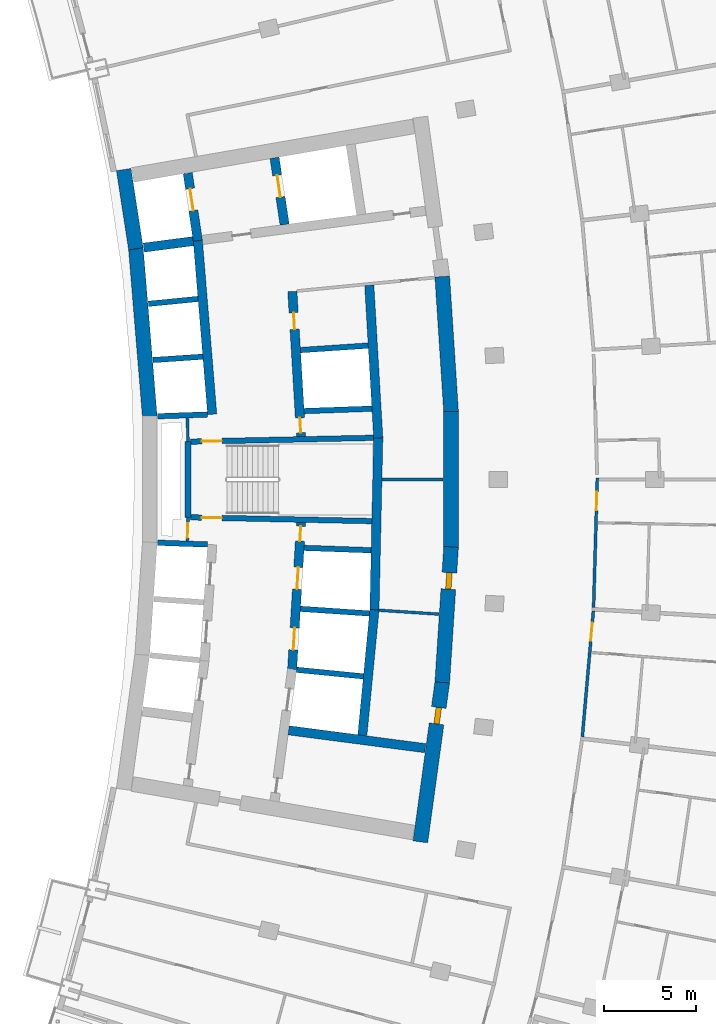
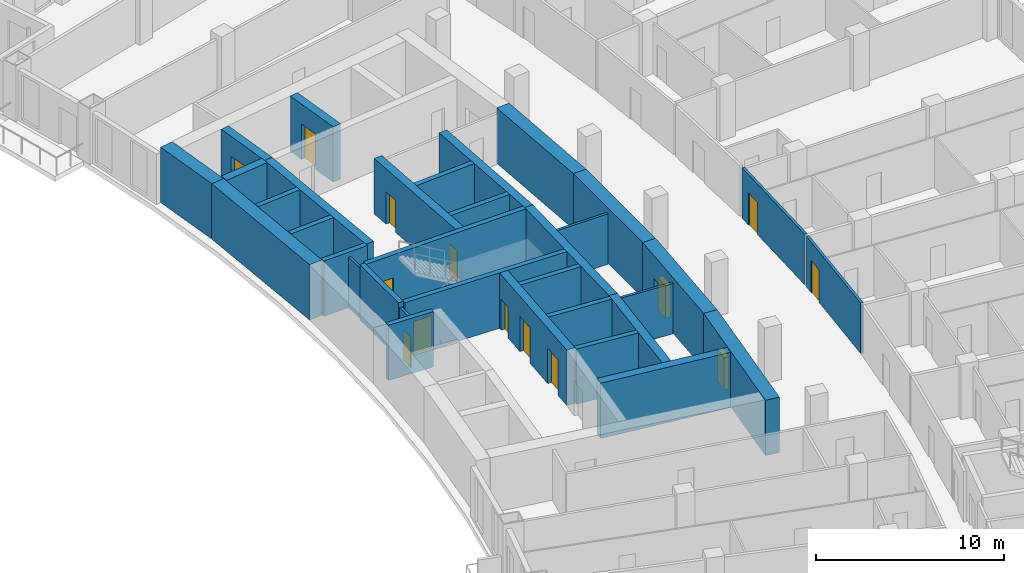
# One storey, part 16 of 24: 34 walls, 14 doors, 14 openings.
"""IFC4 building model written with IfcOpenShell, lengths in metres."""

from ifc_helpers import new_model, si_unit, direction, frame, frame_2d, origin, place, context, subcontext, project, spatial, rectangle, extrude, material, layer, layer_set, type_object, element, fill, save


model = new_model("IFC4")

# Units and contexts
model_context = context("Model", 3, precision=1e-05, world=origin(), true_north=direction((0.0, 1.0)))
body_context = subcontext(model_context, "Body", "Model", "MODEL_VIEW")
ifc_project = project(units=[si_unit("LENGTHUNIT", "METRE"), si_unit("AREAUNIT", "SQUARE_METRE"), si_unit("VOLUMEUNIT", "CUBIC_METRE"), si_unit("PLANEANGLEUNIT", "RADIAN"), si_unit("MASSUNIT", "GRAM", prefix="KILO")], contexts=[model_context])

# Site, building, storey
site_placement = place(None, origin())
site = spatial("IfcSite", under=ifc_project, at=site_placement, CompositionType="ELEMENT")
building_placement = place(site_placement, origin())
building = spatial("IfcBuilding", under=site, at=building_placement, Name="Alderwake Tower", CompositionType="ELEMENT")
storey_placement = place(building_placement, frame((0.0, 0.0, 96.800048828125)))
storey = spatial("IfcBuildingStorey", under=building, at=storey_placement, Name="L23", CompositionType="ELEMENT", Elevation=96.800048828125)

# Wall, opening, door
ifc_material_1 = material(Name="Gypsum shaft wall system, rated")
ifc_layer_1 = layer(ifc_material_1, 0.14990234375)
ifc_layer_set_1 = layer_set([ifc_layer_1], Name="Core room partition 150")
wall_type_1 = type_object("IfcWallType", Name="Core room partition 150", PredefinedType="PARTITIONING", material=ifc_layer_set_1)
wall_1_placement = place(storey_placement, frame((18.918701171875, 58.94384765625, 0.0), z_axis=(0.0, 0.0, 1.0), x_axis=(-0.027348257573, -0.999625966453, 0.0)))
wall_1 = element("IfcWall", 1, at=wall_1_placement, inside=storey, type_object=wall_type_1, Name="CW/L23/PA+24_-37", PredefinedType="PARTITIONING", context=body_context, shape_type="SweptSolid", body=[
    extrude(rectangle(XDim=1.29443359375, YDim=0.14990234375, at=frame_2d((0.647216796875, 0.0))), origin(), (0.0, 0.0, 1.0), 3.280029296875),
])
opening_1_placement = place(wall_1_placement, frame((0.322998046875, 0.0, 0.0)))
opening_1 = element("IfcOpeningElement", 2, at=opening_1_placement, cuts=wall_1, Name="Opening C004", PredefinedType="OPENING", context=body_context, shape_type="SweptSolid", body=[
    extrude(rectangle(XDim=0.800048828125, YDim=2.0, at=frame_2d((0.39990234375, 1.0))), frame((0.0, 0.0849609375, 0.0), z_axis=(0.0, -1.0, 0.0), x_axis=(1.0, 0.0, 0.0)), (0.0, 0.0, 1.0), 0.169921875),
])
ifc_material_2 = material(Name="Painted steel leaf, rated", Category="steel")
door_type_1 = type_object("IfcDoorType", Name="Riser access door 800", OperationType="SINGLE_SWING_LEFT", PredefinedType="DOOR", material=ifc_material_2)
door_1_placement = place(opening_1_placement, origin())
door_1 = element("IfcDoor", 3, at=door_1_placement, inside=storey, type_object=door_type_1, Name="Riser access door", OperationType="SINGLE_SWING_RIGHT", OverallHeight=2.0, OverallWidth=0.800048828125, PredefinedType="DOOR", context=body_context, shape_type="SweptSolid", body=[
    extrude(rectangle(XDim=0.800048828125, YDim=2.0, at=frame_2d((0.39990234375, 1.0))), frame((0.0, 0.02490234375, 0.0), z_axis=(0.0, -1.0, 0.0), x_axis=(1.0, 0.0, 0.0)), (0.0, 0.0, 1.0), 0.050048828125),
])
fill(opening_1, door_1)

# Walls
wall_2_placement = place(storey_placement, frame((18.918701171875, 63.05517578125, 0.0), z_axis=(0.0, 0.0, 1.0), x_axis=(-0.027327648352, 0.999626530078, 0.0)))
element("IfcWall", 4, at=wall_2_placement, inside=storey, type_object=wall_type_1, Name="CW/L23/PA+24_+22", PredefinedType="PARTITIONING", context=body_context, shape_type="SweptSolid", body=[
    extrude(rectangle(XDim=1.29541015625, YDim=0.14990234375, at=frame_2d((0.647705078125, 0.0))), origin(), (0.0, 0.0, 1.0), 3.280029296875),
])
wall_3_placement = place(storey_placement, frame((29.318603515625, 53.88134765625, 0.0), z_axis=(0.0, 0.0, 1.0), x_axis=(0.997885072108, -0.065002945035, 0.0)))
element("IfcWall", 5, at=wall_3_placement, inside=storey, type_object=wall_type_1, Name="CW/L23/PR-68_+128", PredefinedType="PARTITIONING", context=body_context, shape_type="SweptSolid", body=[
    extrude(rectangle(XDim=3.260009765625, YDim=0.14990234375, at=frame_2d((1.6298828125, 0.0))), origin(), (0.0, 0.0, 1.0), 3.280029296875),
])
wall_4_placement = place(storey_placement, frame((29.47607421875, 61.0, 0.0), z_axis=(0.0, 0.0, 1.0), x_axis=(1.0, 0.0, 0.0)))
element("IfcWall", 6, at=wall_4_placement, inside=storey, type_object=wall_type_1, Name="CW/L23/PR+0_+128", PredefinedType="PARTITIONING", context=body_context, shape_type="SweptSolid", body=[
    extrude(rectangle(XDim=3.333984375, YDim=0.14990234375, at=frame_2d((1.6669921875, 0.0))), origin(), (0.0, 0.0, 1.0), 3.280029296875),
])
ifc_material_3 = material(Name="Concrete C70/85", Category="concrete")
ifc_layer_2 = layer(ifc_material_3, 0.800048828125)
ifc_layer_set_2 = layer_set([ifc_layer_2], Name="Core wall outer 800 C70-85")
wall_type_2 = type_object("IfcWallType", Name="Core wall outer 800 C70-85", PredefinedType="SHEAR", material=ifc_layer_set_2)
wall_5_placement = place(storey_placement, frame((16.8408203125, 64.410888671875, 0.0), z_axis=(0.0, 0.0, 1.0), x_axis=(-0.082619502339, 0.996581164699, 0.0)))
element("IfcWall", 7, at=wall_5_placement, inside=storey, type_object=wall_type_2, Name="Core wall CW.040", PredefinedType="SHEAR", context=body_context, shape_type="SweptSolid", body=[
    extrude(rectangle(XDim=9.201904296875, YDim=0.800048828125, at=frame_2d((4.60107421875, 0.0))), origin(), (0.0, 0.0, 1.0), 3.599853515625),
])
wall_6_placement = place(storey_placement, frame((16.083984375, 73.552490234375, 0.0), z_axis=(0.0, 0.0, 1.0), x_axis=(-0.151981606421, 0.988383322052, 0.0)))
element("IfcWall", 8, at=wall_6_placement, inside=storey, type_object=wall_type_2, Name="Core wall CW.039", PredefinedType="SHEAR", context=body_context, shape_type="SweptSolid", body=[
    extrude(rectangle(XDim=4.369384765625, YDim=0.800048828125, at=frame_2d((2.1845703125, 0.0))), origin(), (0.0, 0.0, 1.0), 3.599853515625),
])

# Wall, opening, door
wall_7_placement = place(storey_placement, frame((32.763427734375, 49.980712890625, 0.0), z_axis=(0.0, 0.0, 1.0), x_axis=(-0.135838347444, -0.990731014637, 0.0)))
wall_7 = element("IfcWall", 9, at=wall_7_placement, inside=storey, type_object=wall_type_2, Name="Core wall CW.012", PredefinedType="SHEAR", context=body_context, shape_type="SweptSolid", body=[
    extrude(rectangle(XDim=8.788818359375, YDim=0.800048828125, at=frame_2d((4.39453125, 0.0))), origin(), (0.0, 0.0, 1.0), 3.599853515625),
])
opening_2_placement = place(wall_7_placement, frame((1.40576171875, 0.0, 0.0)))
opening_2 = element("IfcOpeningElement", 10, at=opening_2_placement, cuts=wall_7, Name="Opening C049", PredefinedType="OPENING", context=body_context, shape_type="SweptSolid", body=[
    extrude(rectangle(XDim=0.89990234375, YDim=2.10009765625, at=frame_2d((0.449951171875, 1.050048828125))), frame((0.0, 0.409912109375, 0.0), z_axis=(0.0, -1.0, 0.0), x_axis=(1.0, 0.0, 0.0)), (0.0, 0.0, 1.0), 0.820068359375),
])
ifc_material_4 = material(Name="Painted steel leaf", Category="steel")
door_type_2 = type_object("IfcDoorType", Name="Core room door 900", OperationType="SINGLE_SWING_LEFT", PredefinedType="DOOR", material=ifc_material_4)
door_2_placement = place(opening_2_placement, origin())
door_2 = element("IfcDoor", 11, at=door_2_placement, inside=storey, type_object=door_type_2, Name="Room door", OperationType="SINGLE_SWING_LEFT", OverallHeight=2.10009765625, OverallWidth=0.89990234375, PredefinedType="DOOR", context=body_context, shape_type="SweptSolid", body=[
    extrude(rectangle(XDim=0.89990234375, YDim=2.10009765625, at=frame_2d((0.449951171875, 1.050048828125))), frame((0.0, 0.14990234375, 0.0), z_axis=(0.0, -1.0, 0.0), x_axis=(1.0, 0.0, 0.0)), (0.0, 0.0, 1.0), 0.300048828125),
])
fill(opening_2, door_2)

wall_8_placement = place(storey_placement, frame((33.240966796875, 57.330322265625, 0.0), z_axis=(0.0, 0.0, 1.0), x_axis=(-0.064976219143, -0.997886812693, 0.0)))
wall_8 = element("IfcWall", 12, at=wall_8_placement, inside=storey, type_object=wall_type_2, Name="Core wall CW.011", PredefinedType="SHEAR", context=body_context, shape_type="SweptSolid", body=[
    extrude(rectangle(XDim=7.39453125, YDim=0.800048828125, at=frame_2d((3.697265625, 0.0))), origin(), (0.0, 0.0, 1.0), 3.599853515625),
])
opening_3_placement = place(wall_8_placement, frame((1.40478515625, 0.0, 0.0)))
opening_3 = element("IfcOpeningElement", 13, at=opening_3_placement, cuts=wall_8, Name="Opening C028", PredefinedType="OPENING", context=body_context, shape_type="SweptSolid", body=[
    extrude(rectangle(XDim=0.89990234375, YDim=2.10009765625, at=frame_2d((0.449951171875, 1.050048828125))), frame((0.0, 0.409912109375, 0.0), z_axis=(0.0, -1.0, 0.0), x_axis=(1.0, 0.0, 0.0)), (0.0, 0.0, 1.0), 0.820068359375),
])
door_3_placement = place(opening_3_placement, origin())
door_3 = element("IfcDoor", 14, at=door_3_placement, inside=storey, type_object=door_type_2, Name="Room door", OperationType="SINGLE_SWING_LEFT", OverallHeight=2.10009765625, OverallWidth=0.89990234375, PredefinedType="DOOR", context=body_context, shape_type="SweptSolid", body=[
    extrude(rectangle(XDim=0.89990234375, YDim=2.10009765625, at=frame_2d((0.449951171875, 1.050048828125))), frame((0.0, 0.14990234375, 0.0), z_axis=(0.0, -1.0, 0.0), x_axis=(1.0, 0.0, 0.0)), (0.0, 0.0, 1.0), 0.300048828125),
])
fill(opening_3, door_3)

# Walls
wall_9_placement = place(storey_placement, frame((33.239990234375, 57.30322265625, 0.0), z_axis=(0.0, 0.0, 1.0), x_axis=(0.0, 1.0, 0.0)))
element("IfcWall", 15, at=wall_9_placement, inside=storey, type_object=wall_type_2, Name="Core wall CW.013", PredefinedType="SHEAR", context=body_context, shape_type="SweptSolid", body=[
    extrude(rectangle(XDim=7.3935546875, YDim=0.800048828125, at=frame_2d((3.69677734375, 0.0))), origin(), (0.0, 0.0, 1.0), 3.599853515625),
])
wall_10_placement = place(storey_placement, frame((33.240966796875, 64.669677734375, 0.0), z_axis=(0.0, 0.0, 1.0), x_axis=(-0.064976219143, 0.997886812693, 0.0)))
element("IfcWall", 16, at=wall_10_placement, inside=storey, type_object=wall_type_2, Name="Core wall CW.010", PredefinedType="SHEAR", context=body_context, shape_type="SweptSolid", body=[
    extrude(rectangle(XDim=7.39453125, YDim=0.800048828125, at=frame_2d((3.697265625, 0.0))), origin(), (0.0, 0.0, 1.0), 3.599853515625),
])
ifc_material_5 = material(Name="Concrete C70/85", Category="concrete")
ifc_layer_3 = layer(ifc_material_5, 0.300048828125)
ifc_layer_set_3 = layer_set([ifc_layer_3], Name="Core wall shaft 300 C70-85")
wall_type_3 = type_object("IfcWallType", Name="Core wall shaft 300 C70-85", PredefinedType="SHEAR", material=ifc_layer_set_3)
wall_11_placement = place(storey_placement, frame((24.839599609375, 50.64013671875, 0.0), z_axis=(0.0, 0.0, 1.0), x_axis=(0.995151214483, -0.098356801055, 0.0)))
element("IfcWall", 17, at=wall_11_placement, inside=storey, type_object=wall_type_3, Name="Core wall CW.066", PredefinedType="SHEAR", context=body_context, shape_type="SweptSolid", body=[
    extrude(rectangle(XDim=3.646240234375, YDim=0.300048828125, at=frame_2d((1.8232421875, 0.0))), origin(), (0.0, 0.0, 1.0), 3.599853515625),
])
wall_12_placement = place(storey_placement, frame((25.0400390625, 53.9580078125, 0.0), z_axis=(0.0, 0.0, 1.0), x_axis=(0.997761584708, -0.06687166875, 0.0)))
element("IfcWall", 18, at=wall_12_placement, inside=storey, type_object=wall_type_3, Name="Core wall CW.080", PredefinedType="SHEAR", context=body_context, shape_type="SweptSolid", body=[
    extrude(rectangle(XDim=3.767822265625, YDim=0.300048828125, at=frame_2d((1.8837890625, 0.0))), origin(), (0.0, 0.0, 1.0), 3.599853515625),
])
wall_13_placement = place(storey_placement, frame((17.269287109375, 57.556884765625, 0.0), z_axis=(0.0, 0.0, 1.0), x_axis=(0.999374351644, -0.035368139275, 0.0)))
element("IfcWall", 19, at=wall_13_placement, inside=storey, type_object=wall_type_3, Name="Core wall CW.076", PredefinedType="SHEAR", context=body_context, shape_type="SweptSolid", body=[
    extrude(rectangle(XDim=2.7197265625, YDim=0.300048828125, at=frame_2d((1.35986328125, 0.0))), origin(), (0.0, 0.0, 1.0), 3.599853515625),
])
wall_14_placement = place(storey_placement, frame((25.240478515625, 57.27490234375, 0.0), z_axis=(0.0, 0.0, 1.0), x_axis=(0.9993723549, -0.035424514988, 0.0)))
element("IfcWall", 20, at=wall_14_placement, inside=storey, type_object=wall_type_3, Name="Core wall CW.077", PredefinedType="SHEAR", context=body_context, shape_type="SweptSolid", body=[
    extrude(rectangle(XDim=3.652587890625, YDim=0.300048828125, at=frame_2d((1.826171875, 0.0))), origin(), (0.0, 0.0, 1.0), 3.599853515625),
])
wall_15_placement = place(storey_placement, frame((17.269287109375, 64.443115234375, 0.0), z_axis=(0.0, 0.0, 1.0), x_axis=(0.999374239339, 0.03537131246, 0.0)))
element("IfcWall", 21, at=wall_15_placement, inside=storey, type_object=wall_type_3, Name="Core wall CW.059", PredefinedType="SHEAR", context=body_context, shape_type="SweptSolid", body=[
    extrude(rectangle(XDim=2.719482421875, YDim=0.300048828125, at=frame_2d((1.35986328125, 0.0))), origin(), (0.0, 0.0, 1.0), 3.599853515625),
])
wall_16_placement = place(storey_placement, frame((25.2412109375, 64.725341796875, 0.0), z_axis=(0.0, 0.0, 1.0), x_axis=(0.999374587701, 0.035361468546, 0.0)))
element("IfcWall", 22, at=wall_16_placement, inside=storey, type_object=wall_type_3, Name="Core wall CW.060", PredefinedType="SHEAR", context=body_context, shape_type="SweptSolid", body=[
    extrude(rectangle(XDim=3.693603515625, YDim=0.300048828125, at=frame_2d((1.8466796875, 0.0))), origin(), (0.0, 0.0, 1.0), 3.599853515625),
])
wall_17_placement = place(storey_placement, frame((17.015869140625, 67.50390625, 0.0), z_axis=(0.0, 0.0, 1.0), x_axis=(0.997756033475, 0.066954444689, 0.0)))
element("IfcWall", 23, at=wall_17_placement, inside=storey, type_object=wall_type_3, Name="Core wall CW.062", PredefinedType="SHEAR", context=body_context, shape_type="SweptSolid", body=[
    extrude(rectangle(XDim=2.716552734375, YDim=0.300048828125, at=frame_2d((1.3583984375, 0.0))), origin(), (0.0, 0.0, 1.0), 3.599853515625),
])
wall_18_placement = place(storey_placement, frame((25.042236328125, 68.0419921875, 0.0), z_axis=(0.0, 0.0, 1.0), x_axis=(0.997759366198, 0.066904761896, 0.0)))
element("IfcWall", 24, at=wall_18_placement, inside=storey, type_object=wall_type_3, Name="Core wall CW.063", PredefinedType="SHEAR", context=body_context, shape_type="SweptSolid", body=[
    extrude(rectangle(XDim=3.696533203125, YDim=0.300048828125, at=frame_2d((1.84814453125, 0.0))), origin(), (0.0, 0.0, 1.0), 3.599853515625),
])
wall_19_placement = place(storey_placement, frame((16.76220703125, 70.561767578125, 0.0), z_axis=(0.0, 0.0, 1.0), x_axis=(0.995154832978, 0.098320183083, 0.0)))
element("IfcWall", 25, at=wall_19_placement, inside=storey, type_object=wall_type_3, Name="Core wall CW.050", PredefinedType="SHEAR", context=body_context, shape_type="SweptSolid", body=[
    extrude(rectangle(XDim=2.716552734375, YDim=0.300048828125, at=frame_2d((1.3583984375, 0.0))), origin(), (0.0, 0.0, 1.0), 3.599853515625),
])
ifc_material_6 = material(Name="Concrete C70/85", Category="concrete")
ifc_layer_4 = layer(ifc_material_6, 0.5)
ifc_layer_set_4 = layer_set([ifc_layer_4], Name="Core wall spine 500 C70-85")
wall_type_4 = type_object("IfcWallType", Name="Core wall spine 500 C70-85", PredefinedType="SHEAR", material=ifc_layer_set_4)
wall_20_placement = place(storey_placement, frame((20.2373046875, 64.548095703125, 0.0), z_axis=(0.0, 0.0, 1.0), x_axis=(-0.082641410547, 0.996579348202, 0.0)))
element("IfcWall", 26, at=wall_20_placement, inside=storey, type_object=wall_type_4, Name="Core wall CW.031", PredefinedType="SHEAR", context=body_context, shape_type="SweptSolid", body=[
    extrude(rectangle(XDim=9.500732421875, YDim=0.5, at=frame_2d((4.75048828125, 0.0))), origin(), (0.0, 0.0, 1.0), 3.599853515625),
])

# Wall, opening, door
wall_21_placement = place(storey_placement, frame((19.4541015625, 73.9990234375, 0.0), z_axis=(0.0, 0.0, 1.0), x_axis=(-0.14792928808, 0.988997940204, 0.0)))
wall_21 = element("IfcWall", 27, at=wall_21_placement, inside=storey, type_object=wall_type_4, Name="Core wall CW.030", PredefinedType="SHEAR", context=body_context, shape_type="SweptSolid", body=[
    extrude(rectangle(XDim=3.716552734375, YDim=0.5, at=frame_2d((1.8583984375, 0.0))), origin(), (0.0, 0.0, 1.0), 3.599853515625),
])
opening_4_placement = place(wall_21_placement, frame((1.66259765625, 0.0, 0.0)))
opening_4 = element("IfcOpeningElement", 28, at=opening_4_placement, cuts=wall_21, Name="Opening LD-FF1", PredefinedType="OPENING", context=body_context, shape_type="SweptSolid", body=[
    extrude(rectangle(XDim=1.199951171875, YDim=2.300048828125, at=frame_2d((0.60009765625, 1.14990234375))), frame((0.0, 0.260009765625, 0.0), z_axis=(0.0, -1.0, 0.0), x_axis=(1.0, 0.0, 0.0)), (0.0, 0.0, 1.0), 0.52001953125),
])
ifc_material_7 = material(Name="Stainless steel sliding leaf", Category="steel")
door_type_3 = type_object("IfcDoorType", Name="Lift landing door 1200", OperationType="SLIDING_TO_LEFT", PredefinedType="DOOR", material=ifc_material_7)
door_4_placement = place(opening_4_placement, origin())
door_4 = element("IfcDoor", 29, at=door_4_placement, inside=storey, type_object=door_type_3, Name="Lift landing door FF1", OperationType="SLIDING_TO_LEFT", OverallHeight=2.300048828125, OverallWidth=1.199951171875, PredefinedType="DOOR", context=body_context, shape_type="SweptSolid", body=[
    extrude(rectangle(XDim=1.199951171875, YDim=2.300048828125, at=frame_2d((0.60009765625, 1.14990234375))), frame((0.0, 0.02490234375, 0.0), z_axis=(0.0, -1.0, 0.0), x_axis=(1.0, 0.0, 0.0)), (0.0, 0.0, 1.0), 0.050048828125),
])
fill(opening_4, door_4)

# Wall, openings, doors
wall_22_placement = place(storey_placement, frame((24.590087890625, 50.655029296875, 0.0), z_axis=(0.0, 0.0, 1.0), x_axis=(0.060305817737, 0.998179947879, 0.0)))
wall_22 = element("IfcWall", 30, at=wall_22_placement, inside=storey, type_object=wall_type_4, Name="Core wall CW.046", PredefinedType="SHEAR", context=body_context, shape_type="SweptSolid", body=[
    extrude(rectangle(XDim=8.02392578125, YDim=0.5, at=frame_2d((4.011962890625, 0.0))), origin(), (0.0, 0.0, 1.0), 3.599853515625),
])
opening_5_placement = place(wall_22_placement, frame((1.067138671875, 0.0, 0.0)))
opening_5 = element("IfcOpeningElement", 31, at=opening_5_placement, cuts=wall_22, Name="Opening LD-LP5", PredefinedType="OPENING", context=body_context, shape_type="SweptSolid", body=[
    extrude(rectangle(XDim=1.199951171875, YDim=2.300048828125, at=frame_2d((0.60009765625, 1.14990234375))), frame((0.0, 0.260009765625, 0.0), z_axis=(0.0, -1.0, 0.0), x_axis=(1.0, 0.0, 0.0)), (0.0, 0.0, 1.0), 0.52001953125),
])
opening_6_placement = place(wall_22_placement, frame((4.383544921875, 0.0, 0.0)))
opening_6 = element("IfcOpeningElement", 32, at=opening_6_placement, cuts=wall_22, Name="Opening LD-LP6", PredefinedType="OPENING", context=body_context, shape_type="SweptSolid", body=[
    extrude(rectangle(XDim=1.199951171875, YDim=2.300048828125, at=frame_2d((0.60009765625, 1.14990234375))), frame((0.0, 0.260009765625, 0.0), z_axis=(0.0, -1.0, 0.0), x_axis=(1.0, 0.0, 0.0)), (0.0, 0.0, 1.0), 0.52001953125),
])
opening_7_placement = place(wall_22_placement, frame((7.0078125, 0.0, 0.0)))
opening_7 = element("IfcOpeningElement", 33, at=opening_7_placement, cuts=wall_22, Name="Opening C006", PredefinedType="OPENING", context=body_context, shape_type="SweptSolid", body=[
    extrude(rectangle(XDim=0.800048828125, YDim=2.0, at=frame_2d((0.39990234375, 1.0))), frame((0.0, 0.260009765625, 0.0), z_axis=(0.0, -1.0, 0.0), x_axis=(1.0, 0.0, 0.0)), (0.0, 0.0, 1.0), 0.52001953125),
])
door_5_placement = place(opening_5_placement, origin())
door_5 = element("IfcDoor", 34, at=door_5_placement, inside=storey, type_object=door_type_3, Name="Lift landing door LP5", OperationType="SLIDING_TO_LEFT", OverallHeight=2.300048828125, OverallWidth=1.199951171875, PredefinedType="DOOR", context=body_context, shape_type="SweptSolid", body=[
    extrude(rectangle(XDim=1.199951171875, YDim=2.300048828125, at=frame_2d((0.60009765625, 1.14990234375))), frame((0.0, 0.02490234375, 0.0), z_axis=(0.0, -1.0, 0.0), x_axis=(1.0, 0.0, 0.0)), (0.0, 0.0, 1.0), 0.050048828125),
])
fill(opening_5, door_5)
door_6_placement = place(opening_6_placement, origin())
door_6 = element("IfcDoor", 35, at=door_6_placement, inside=storey, type_object=door_type_3, Name="Lift landing door LP6", OperationType="SLIDING_TO_LEFT", OverallHeight=2.300048828125, OverallWidth=1.199951171875, PredefinedType="DOOR", context=body_context, shape_type="SweptSolid", body=[
    extrude(rectangle(XDim=1.199951171875, YDim=2.300048828125, at=frame_2d((0.60009765625, 1.14990234375))), frame((0.0, 0.02490234375, 0.0), z_axis=(0.0, -1.0, 0.0), x_axis=(1.0, 0.0, 0.0)), (0.0, 0.0, 1.0), 0.050048828125),
])
fill(opening_6, door_6)
door_7_placement = place(opening_7_placement, origin())
door_7 = element("IfcDoor", 36, at=door_7_placement, inside=storey, type_object=door_type_1, Name="Riser access door", OperationType="SINGLE_SWING_RIGHT", OverallHeight=2.0, OverallWidth=0.800048828125, PredefinedType="DOOR", context=body_context, shape_type="SweptSolid", body=[
    extrude(rectangle(XDim=0.800048828125, YDim=2.0, at=frame_2d((0.39990234375, 1.0))), frame((0.0, 0.02490234375, 0.0), z_axis=(0.0, -1.0, 0.0), x_axis=(1.0, 0.0, 0.0)), (0.0, 0.0, 1.0), 0.050048828125),
])
fill(opening_7, door_7)

wall_23_placement = place(storey_placement, frame((25.073974609375, 63.335693359375, 0.0), z_axis=(0.0, 0.0, 1.0), x_axis=(-0.059848641072, 0.998207463487, 0.0)))
wall_23 = element("IfcWall", 37, at=wall_23_placement, inside=storey, type_object=wall_type_4, Name="Core wall CW.045", PredefinedType="SHEAR", context=body_context, shape_type="SweptSolid", body=[
    extrude(rectangle(XDim=7.913818359375, YDim=0.5, at=frame_2d((3.95703125, 0.0))), origin(), (0.0, 0.0, 1.0), 3.599853515625),
])
opening_8_placement = place(wall_23_placement, frame((0.216064453125, 0.0, 0.0)))
opening_8 = element("IfcOpeningElement", 38, at=opening_8_placement, cuts=wall_23, Name="Opening C005", PredefinedType="OPENING", context=body_context, shape_type="SweptSolid", body=[
    extrude(rectangle(XDim=0.800048828125, YDim=2.0, at=frame_2d((0.39990234375, 1.0))), frame((0.0, 0.260009765625, 0.0), z_axis=(0.0, -1.0, 0.0), x_axis=(1.0, 0.0, 0.0)), (0.0, 0.0, 1.0), 0.52001953125),
])
opening_9_placement = place(wall_23_placement, frame((5.856201171875, 0.0, 0.0)))
opening_9 = element("IfcOpeningElement", 39, at=opening_9_placement, cuts=wall_23, Name="Opening C023", PredefinedType="OPENING", context=body_context, shape_type="SweptSolid", body=[
    extrude(rectangle(XDim=0.89990234375, YDim=2.10009765625, at=frame_2d((0.449951171875, 1.050048828125))), frame((0.0, 0.260009765625, 0.0), z_axis=(0.0, -1.0, 0.0), x_axis=(1.0, 0.0, 0.0)), (0.0, 0.0, 1.0), 0.52001953125),
])
door_8_placement = place(opening_9_placement, origin())
door_8 = element("IfcDoor", 40, at=door_8_placement, inside=storey, type_object=door_type_2, Name="Room door", OperationType="SINGLE_SWING_RIGHT", OverallHeight=2.10009765625, OverallWidth=0.89990234375, PredefinedType="DOOR", context=body_context, shape_type="SweptSolid", body=[
    extrude(rectangle(XDim=0.89990234375, YDim=2.10009765625, at=frame_2d((0.449951171875, 1.050048828125))), frame((0.0, 0.02490234375, 0.0), z_axis=(0.0, -1.0, 0.0), x_axis=(1.0, 0.0, 0.0)), (0.0, 0.0, 1.0), 0.050048828125),
])
fill(opening_9, door_8)
door_9_placement = place(opening_8_placement, origin())
door_9 = element("IfcDoor", 41, at=door_9_placement, inside=storey, type_object=door_type_1, Name="Riser access door", OperationType="SINGLE_SWING_LEFT", OverallHeight=2.0, OverallWidth=0.800048828125, PredefinedType="DOOR", context=body_context, shape_type="SweptSolid", body=[
    extrude(rectangle(XDim=0.800048828125, YDim=2.0, at=frame_2d((0.39990234375, 1.0))), frame((0.0, 0.02490234375, 0.0), z_axis=(0.0, -1.0, 0.0), x_axis=(1.0, 0.0, 0.0)), (0.0, 0.0, 1.0), 0.050048828125),
])
fill(opening_8, door_9)

# Wall, opening, door
wall_24_placement = place(storey_placement, frame((24.1796875, 74.878173828125, 0.0), z_axis=(0.0, 0.0, 1.0), x_axis=(-0.149334835296, 0.988786684259, 0.0)))
wall_24 = element("IfcWall", 42, at=wall_24_placement, inside=storey, type_object=wall_type_4, Name="Core wall CW.044", PredefinedType="SHEAR", context=body_context, shape_type="SweptSolid", body=[
    extrude(rectangle(XDim=3.673583984375, YDim=0.5, at=frame_2d((1.8369140625, 0.0))), origin(), (0.0, 0.0, 1.0), 3.599853515625),
])
opening_10_placement = place(wall_24_placement, frame((1.51171875, 0.0, 0.0)))
opening_10 = element("IfcOpeningElement", 43, at=opening_10_placement, cuts=wall_24, Name="Opening LD-FF2", PredefinedType="OPENING", context=body_context, shape_type="SweptSolid", body=[
    extrude(rectangle(XDim=1.199951171875, YDim=2.300048828125, at=frame_2d((0.60009765625, 1.14990234375))), frame((0.0, 0.260009765625, 0.0), z_axis=(0.0, -1.0, 0.0), x_axis=(1.0, 0.0, 0.0)), (0.0, 0.0, 1.0), 0.52001953125),
])
door_10_placement = place(opening_10_placement, origin())
door_10 = element("IfcDoor", 44, at=door_10_placement, inside=storey, type_object=door_type_3, Name="Lift landing door FF2", OperationType="SLIDING_TO_LEFT", OverallHeight=2.300048828125, OverallWidth=1.199951171875, PredefinedType="DOOR", context=body_context, shape_type="SweptSolid", body=[
    extrude(rectangle(XDim=1.199951171875, YDim=2.300048828125, at=frame_2d((0.60009765625, 1.14990234375))), frame((0.0, 0.02490234375, 0.0), z_axis=(0.0, -1.0, 0.0), x_axis=(1.0, 0.0, 0.0)), (0.0, 0.0, 1.0), 0.050048828125),
])
fill(opening_10, door_10)

# Walls
wall_25_placement = place(storey_placement, frame((28.4091796875, 47.072998046875, 0.0), z_axis=(0.0, 0.0, 1.0), x_axis=(0.096218511654, 0.995360235299, 0.0)))
element("IfcWall", 45, at=wall_25_placement, inside=storey, type_object=wall_type_4, Name="Core wall CW.005", PredefinedType="SHEAR", context=body_context, shape_type="SweptSolid", body=[
    extrude(rectangle(XDim=6.865966796875, YDim=0.5, at=frame_2d((3.43310546875, 0.0))), origin(), (0.0, 0.0, 1.0), 3.599853515625),
])
wall_26_placement = place(storey_placement, frame((29.06884765625, 53.8876953125, 0.0), z_axis=(0.0, 0.0, 1.0), x_axis=(0.022106533109, 0.999755620736, 0.0)))
element("IfcWall", 46, at=wall_26_placement, inside=storey, type_object=wall_type_4, Name="Core wall CW.008", PredefinedType="SHEAR", context=body_context, shape_type="SweptSolid", body=[
    extrude(rectangle(XDim=9.398193359375, YDim=0.5, at=frame_2d((4.69921875, 0.0))), origin(), (0.0, 0.0, 1.0), 3.599853515625),
])
wall_27_placement = place(storey_placement, frame((29.277099609375, 63.2626953125, 0.0), z_axis=(0.0, 0.0, 1.0), x_axis=(-0.058825214895, 0.99826829765, 0.0)))
element("IfcWall", 47, at=wall_27_placement, inside=storey, type_object=wall_type_4, Name="Core wall CW.002", PredefinedType="SHEAR", context=body_context, shape_type="SweptSolid", body=[
    extrude(rectangle(XDim=8.3212890625, YDim=0.5, at=frame_2d((4.16064453125, 0.0))), origin(), (0.0, 0.0, 1.0), 3.599853515625),
])
wall_28_placement = place(storey_placement, frame((24.39892578125, 47.345458984375, 0.0), z_axis=(0.0, 0.0, 1.0), x_axis=(0.991552963207, -0.129702433116, 0.0)))
element("IfcWall", 48, at=wall_28_placement, inside=storey, type_object=wall_type_4, Name="Core wall CW.069", PredefinedType="SHEAR", context=body_context, shape_type="SweptSolid", body=[
    extrude(rectangle(XDim=7.4990234375, YDim=0.5, at=frame_2d((3.74951171875, 0.0))), origin(), (0.0, 0.0, 1.0), 3.599853515625),
])
wall_29_placement = place(storey_placement, frame((16.508544921875, 73.62255859375, 0.0), z_axis=(0.0, 0.0, 1.0), x_axis=(0.991548766325, 0.129734513522, 0.0)))
element("IfcWall", 49, at=wall_29_placement, inside=storey, type_object=wall_type_4, Name="Core wall CW.051", PredefinedType="SHEAR", context=body_context, shape_type="SweptSolid", body=[
    extrude(rectangle(XDim=2.71923828125, YDim=0.5, at=frame_2d((1.359619140625, 0.0))), origin(), (0.0, 0.0, 1.0), 3.599853515625),
])
ifc_material_8 = material(Name="Concrete C70/85", Category="concrete")
ifc_layer_5 = layer(ifc_material_8, 0.300048828125)
ifc_layer_set_5 = layer_set([ifc_layer_5], Name="Core wall stair enclosure 300 C70-85")
wall_type_5 = type_object("IfcWallType", Name="Core wall stair enclosure 300 C70-85", PredefinedType="SHEAR", material=ifc_layer_set_5)
wall_30_placement = place(storey_placement, frame((18.918701171875, 58.94091796875, 0.0), z_axis=(0.0, 0.0, 1.0), x_axis=(0.0, 1.0, 0.0)))
element("IfcWall", 50, at=wall_30_placement, inside=storey, type_object=wall_type_5, Name="Core wall CW.024", PredefinedType="SHEAR", context=body_context, shape_type="SweptSolid", body=[
    extrude(rectangle(XDim=4.119384765625, YDim=0.300048828125, at=frame_2d((2.0595703125, 0.0))), origin(), (0.0, 0.0, 1.0), 3.599853515625),
])

# Wall, opening, door
wall_31_placement = place(storey_placement, frame((28.92578125, 58.734130859375, 0.0), z_axis=(0.0, 0.0, 1.0), x_axis=(-0.999783647187, 0.02080045235, 0.0)))
wall_31 = element("IfcWall", 51, at=wall_31_placement, inside=storey, type_object=wall_type_5, Name="Core wall CW.074", PredefinedType="SHEAR", context=body_context, shape_type="SweptSolid", body=[
    extrude(rectangle(XDim=9.859375, YDim=0.300048828125, at=frame_2d((4.9296875, 0.0))), origin(), (0.0, 0.0, 1.0), 3.599853515625),
])
opening_11_placement = place(wall_31_placement, frame((8.159423828125, 0.0, 0.0)))
opening_11 = element("IfcOpeningElement", 52, at=opening_11_placement, cuts=wall_31, Name="Opening C063", PredefinedType="OPENING", context=body_context, shape_type="SweptSolid", body=[
    extrude(rectangle(XDim=1.10009765625, YDim=2.10009765625, at=frame_2d((0.550048828125, 1.050048828125))), frame((0.0, 0.159912109375, 0.0), z_axis=(0.0, -1.0, 0.0), x_axis=(1.0, 0.0, 0.0)), (0.0, 0.0, 1.0), 0.320068359375),
])
ifc_material_9 = material(Name="Steel-framed fire door leaf", Category="steel")
door_type_4 = type_object("IfcDoorType", Name="Core stair door 1100 fire-rated", OperationType="SINGLE_SWING_LEFT", PredefinedType="DOOR", material=ifc_material_9)
door_11_placement = place(opening_11_placement, origin())
door_11 = element("IfcDoor", 53, at=door_11_placement, inside=storey, type_object=door_type_4, Name="Stair door", OperationType="SINGLE_SWING_LEFT", OverallHeight=2.10009765625, OverallWidth=1.10009765625, PredefinedType="DOOR", context=body_context, shape_type="SweptSolid", body=[
    extrude(rectangle(XDim=1.10009765625, YDim=2.10009765625, at=frame_2d((0.550048828125, 1.050048828125))), frame((0.0, 0.02490234375, 0.0), z_axis=(0.0, -1.0, 0.0), x_axis=(1.0, 0.0, 0.0)), (0.0, 0.0, 1.0), 0.050048828125),
])
fill(opening_11, door_11)

wall_32_placement = place(storey_placement, frame((19.068603515625, 63.060791015625, 0.0), z_axis=(0.0, 0.0, 1.0), x_axis=(0.999783418156, 0.020811457903, 0.0)))
wall_32 = element("IfcWall", 54, at=wall_32_placement, inside=storey, type_object=wall_type_5, Name="Core wall CW.057", PredefinedType="SHEAR", context=body_context, shape_type="SweptSolid", body=[
    extrude(rectangle(XDim=9.959716796875, YDim=0.300048828125, at=frame_2d((4.97998046875, 0.0))), origin(), (0.0, 0.0, 1.0), 3.599853515625),
])
opening_12_placement = place(wall_32_placement, frame((0.60009765625, 0.0, 0.0)))
opening_12 = element("IfcOpeningElement", 55, at=opening_12_placement, cuts=wall_32, Name="Opening C064", PredefinedType="OPENING", context=body_context, shape_type="SweptSolid", body=[
    extrude(rectangle(XDim=1.10009765625, YDim=2.10009765625, at=frame_2d((0.550048828125, 1.050048828125))), frame((0.0, 0.159912109375, 0.0), z_axis=(0.0, -1.0, 0.0), x_axis=(1.0, 0.0, 0.0)), (0.0, 0.0, 1.0), 0.320068359375),
])
door_12_placement = place(opening_12_placement, origin())
door_12 = element("IfcDoor", 56, at=door_12_placement, inside=storey, type_object=door_type_4, Name="Stair door", OperationType="SINGLE_SWING_RIGHT", OverallHeight=2.10009765625, OverallWidth=1.10009765625, PredefinedType="DOOR", context=body_context, shape_type="SweptSolid", body=[
    extrude(rectangle(XDim=1.10009765625, YDim=2.10009765625, at=frame_2d((0.550048828125, 1.050048828125))), frame((0.0, 0.02490234375, 0.0), z_axis=(0.0, -1.0, 0.0), x_axis=(1.0, 0.0, 0.0)), (0.0, 0.0, 1.0), 0.050048828125),
])
fill(opening_12, door_12)

ifc_material_10 = material(Name="Gypsum board on metal studs, rated")
ifc_layer_6 = layer(ifc_material_10, 0.159912109375)
ifc_layer_set_6 = layer_set([ifc_layer_6], Name="Corridor wall 160")
wall_type_6 = type_object("IfcWallType", Name="Corridor wall 160", PredefinedType="PARTITIONING", material=ifc_layer_set_6)
wall_33_placement = place(storey_placement, frame((40.986328125, 53.834228515625, 0.0), z_axis=(0.0, 0.0, 1.0), x_axis=(-0.087448731147, -0.996169021512, 0.0)))
wall_33 = element("IfcWall", 57, at=wall_33_placement, inside=storey, type_object=wall_type_6, Name="WL/L23/W40", PredefinedType="PARTITIONING", context=body_context, shape_type="SweptSolid", body=[
    extrude(rectangle(XDim=6.867919921875, YDim=0.159912109375, at=frame_2d((3.43408203125, 0.0))), origin(), (0.0, 0.0, 1.0), 3.280029296875),
])
opening_13_placement = place(wall_33_placement, frame((0.628173828125, 0.0, 0.0)))
opening_13 = element("IfcOpeningElement", 58, at=opening_13_placement, cuts=wall_33, Name="Opening R06-U07.2", PredefinedType="OPENING", context=body_context, shape_type="SweptSolid", body=[
    extrude(rectangle(XDim=1.0, YDim=2.10009765625, at=frame_2d((0.5, 1.050048828125))), frame((0.0, 0.08984375, 0.0), z_axis=(0.0, -1.0, 0.0), x_axis=(1.0, 0.0, 0.0)), (0.0, 0.0, 1.0), 0.179931640625),
])
ifc_material_11 = material(Name="Solid timber leaf in steel frame", Category="steel")
door_type_5 = type_object("IfcDoorType", Name="Flat entrance door 1000 fire-rated", OperationType="SINGLE_SWING_LEFT", PredefinedType="DOOR", material=ifc_material_11)
door_13_placement = place(opening_13_placement, origin())
door_13 = element("IfcDoor", 59, at=door_13_placement, inside=storey, type_object=door_type_5, Name="DR/L23/U07.2", OperationType="SINGLE_SWING_LEFT", OverallHeight=2.10009765625, OverallWidth=1.0, PredefinedType="DOOR", context=body_context, shape_type="SweptSolid", body=[
    extrude(rectangle(XDim=1.0, YDim=2.10009765625, at=frame_2d((0.5, 1.050048828125))), frame((0.0, 0.02490234375, 0.0), z_axis=(0.0, -1.0, 0.0), x_axis=(1.0, 0.0, 0.0)), (0.0, 0.0, 1.0), 0.050048828125),
])
fill(opening_13, door_13)

wall_34_placement = place(storey_placement, frame((41.201416015625, 61.0791015625, 0.0), z_axis=(0.0, 0.0, 1.0), x_axis=(-0.028889070526, -0.999582623701, 0.0)))
wall_34 = element("IfcWall", 60, at=wall_34_placement, inside=storey, type_object=wall_type_6, Name="WL/L23/W41", PredefinedType="PARTITIONING", context=body_context, shape_type="SweptSolid", body=[
    extrude(rectangle(XDim=7.048095703125, YDim=0.159912109375, at=frame_2d((3.52392578125, 0.0))), origin(), (0.0, 0.0, 1.0), 3.280029296875),
])
opening_14_placement = place(wall_34_placement, frame((0.757080078125, 0.0, 0.0)))
opening_14 = element("IfcOpeningElement", 61, at=opening_14_placement, cuts=wall_34, Name="Opening R06-U08.2", PredefinedType="OPENING", context=body_context, shape_type="SweptSolid", body=[
    extrude(rectangle(XDim=1.0, YDim=2.10009765625, at=frame_2d((0.5, 1.050048828125))), frame((0.0, 0.08984375, 0.0), z_axis=(0.0, -1.0, 0.0), x_axis=(1.0, 0.0, 0.0)), (0.0, 0.0, 1.0), 0.179931640625),
])
door_14_placement = place(opening_14_placement, origin())
door_14 = element("IfcDoor", 62, at=door_14_placement, inside=storey, type_object=door_type_5, Name="DR/L23/U08.2", OperationType="SINGLE_SWING_LEFT", OverallHeight=2.10009765625, OverallWidth=1.0, PredefinedType="DOOR", context=body_context, shape_type="SweptSolid", body=[
    extrude(rectangle(XDim=1.0, YDim=2.10009765625, at=frame_2d((0.5, 1.050048828125))), frame((0.0, 0.02490234375, 0.0), z_axis=(0.0, -1.0, 0.0), x_axis=(1.0, 0.0, 0.0)), (0.0, 0.0, 1.0), 0.050048828125),
])
fill(opening_14, door_14)

save(model, "model.ifc")
